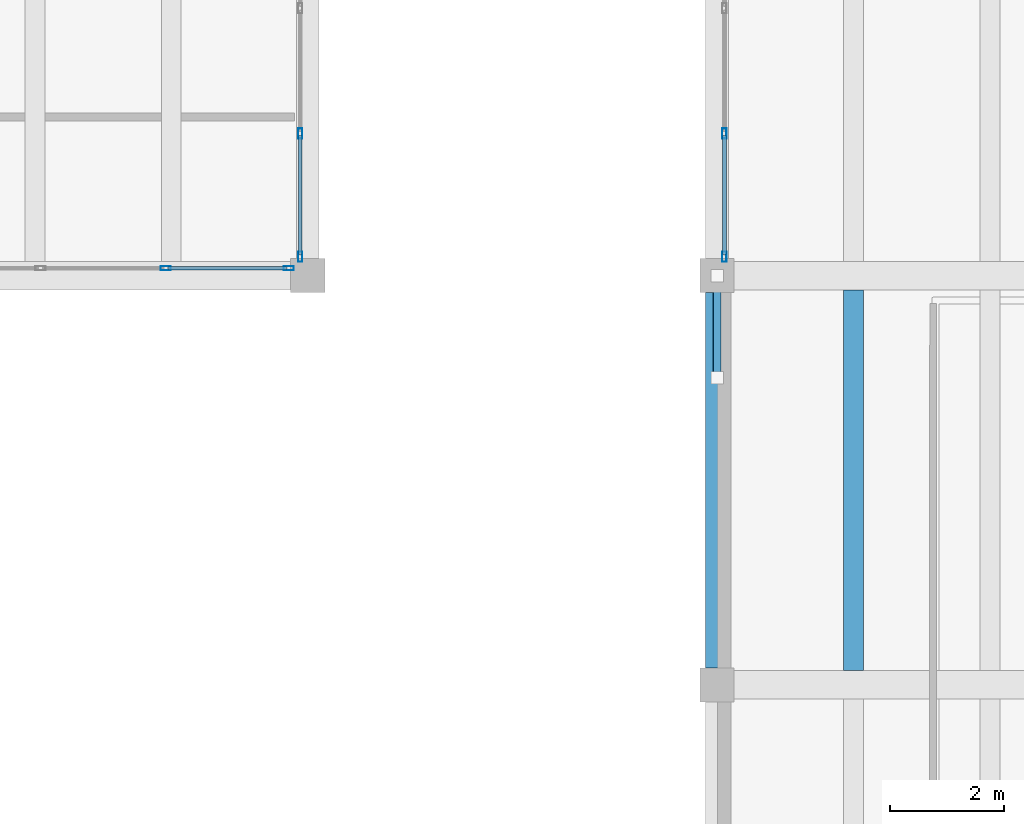
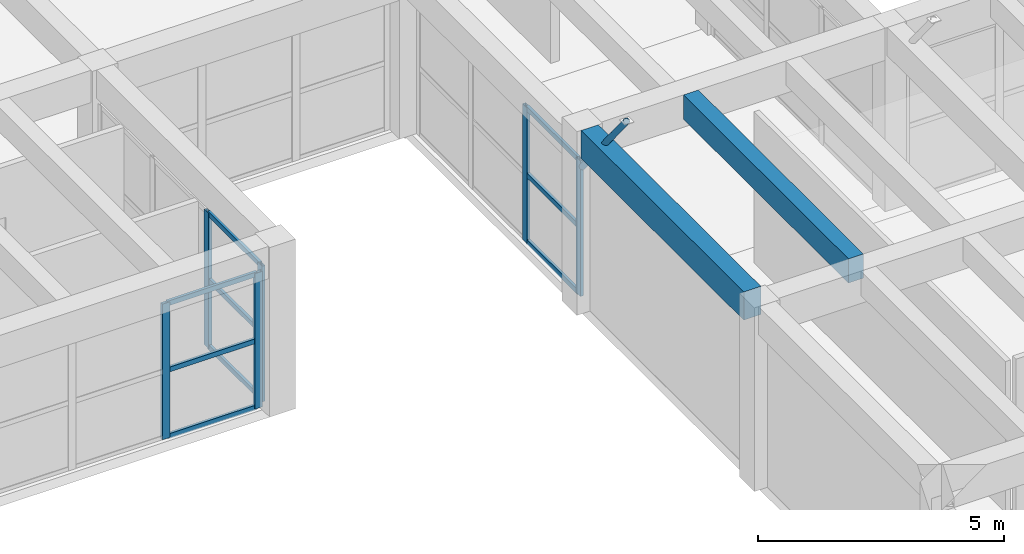
# One storey, part 68 of 153: 16 members, 2 beams, 3 elements without a shape of their own.
"""IFC4 building model written with IfcOpenShell, lengths in metres."""

from ifc_helpers import new_model, si_unit, direction, frame, origin, origin_2d, place, context, subcontext, project, spatial, rectangle, hollow_rectangle, hollow_circle, extrude, material, material_profile, profile_set, type_object, element, aggregate, save


model = new_model("IFC4")

# Units and contexts
model_context = context("Model", 3, precision=1e-05, world=origin(), true_north=direction((0.0, 1.0)))
body_context = subcontext(model_context, "Body", "Model", "MODEL_VIEW")
ifc_project = project(units=[si_unit("LENGTHUNIT", "METRE"), si_unit("AREAUNIT", "SQUARE_METRE"), si_unit("VOLUMEUNIT", "CUBIC_METRE"), si_unit("PLANEANGLEUNIT", "RADIAN"), si_unit("MASSUNIT", "GRAM", prefix="KILO")], contexts=[model_context])

# Site, building, storey
site_placement = place(None, origin())
site = spatial("IfcSite", under=ifc_project, at=site_placement, CompositionType="ELEMENT")
building_placement = place(site_placement, origin())
building = spatial("IfcBuilding", under=site, at=building_placement, Name="Bramvelor Terrace Health Centre", CompositionType="ELEMENT")
storey_placement = place(building_placement, frame((0.0, 0.0, 4.800048828125)))
storey = spatial("IfcBuildingStorey", under=building, at=storey_placement, Name="L02", CompositionType="ELEMENT", Elevation=4.800048828125)

# Beams
ifc_material_1 = material(Name="Concrete C40/50", Category="concrete")
ifc_material_profile_1 = material_profile(ifc_material_1, rectangle(XDim=0.39990234375, YDim=0.699951171875, at=origin_2d()), Name="RC 400x700")
ifc_profile_set_1 = profile_set([ifc_material_profile_1], Name="Concrete C40/50")
beam_type_1 = type_object("IfcBeamType", Name="BM-RC-G700", PredefinedType="BEAM", material=ifc_profile_set_1)
beam_1_placement = place(storey_placement, frame((43.199951171875, 72.300048828125, 4.199951171875), z_axis=(0.0, 1.0, 0.0), x_axis=(-1.0, 0.0, 0.0)))
element("IfcBeam", 1, at=beam_1_placement, inside=storey, type_object=beam_type_1, Name="L02 Floor Girder", PredefinedType="BEAM", context=body_context, shape_type="SweptSolid", body=[
    extrude(rectangle(XDim=0.39990234375, YDim=0.699951171875, at=origin_2d()), origin(), (0.0, 0.0, 1.0), 6.599853515625),
])
ifc_material_2 = material(Name="Concrete C40/50", Category="concrete")
ifc_material_profile_2 = material_profile(ifc_material_2, rectangle(XDim=0.35009765625, YDim=0.60009765625, at=origin_2d()), Name="RC 350x600")
ifc_profile_set_2 = profile_set([ifc_material_profile_2], Name="Concrete C40/50")
beam_type_2 = type_object("IfcBeamType", Name="BM-RC-J600", PredefinedType="JOIST", material=ifc_profile_set_2)
beam_2_placement = place(storey_placement, frame((45.60009765625, 72.25, 4.25), z_axis=(0.0, 1.0, 0.0), x_axis=(-1.0, 0.0, 0.0)))
element("IfcBeam", 2, at=beam_2_placement, inside=storey, type_object=beam_type_2, Name="L02 Secondary Floor Joist", PredefinedType="JOIST", context=body_context, shape_type="SweptSolid", body=[
    extrude(rectangle(XDim=0.35009765625, YDim=0.60009765625, at=origin_2d()), origin(), (0.0, 0.0, 1.0), 6.699951171875),
])

# Curtain wall, members
ifc_material_3 = material(Name="Anodized aluminium and double low-E glass", Category="aluminium")
curtain_wall_type = type_object("IfcCurtainWallType", Name="CW-SYS-12", PredefinedType="NOTDEFINED", material=ifc_material_3)
curtain_wall_1_placement = place(storey_placement, origin())
curtain_wall_1 = element("IfcCurtainWall", 3, at=curtain_wall_1_placement, inside=storey, type_object=curtain_wall_type, Name="L02 Unitized Curtain Wall 70", PredefinedType="NOTDEFINED")
ifc_material_4 = material(Name="Anodized aluminium 6063-T6", Category="aluminium")
ifc_material_profile_3 = material_profile(ifc_material_4, hollow_rectangle(XDim=0.074951171875, YDim=0.179931640625, WallThickness=0.00341796875, at=origin_2d()), Name="ALU-MUL 75x180x3.5")
ifc_profile_set_3 = profile_set([ifc_material_profile_3], Name="Anodized aluminium 6063-T6")
member_type_1 = type_object("IfcMemberType", Name="CW-MUL-65x180", PredefinedType="MULLION", material=ifc_profile_set_3)
member_1_placement = place(storey_placement, frame((43.330078125, 79.532470703125, 0.0), z_axis=(0.0, 0.0, 1.0), x_axis=(-1.0, 0.0, 0.0)))
member_1 = element("IfcMember", 4, at=member_1_placement, type_object=member_type_1, Name="CW-12 mullion 1", PredefinedType="MULLION", context=body_context, shape_type="SweptSolid", body=[
    extrude(hollow_rectangle(XDim=0.074951171875, YDim=0.179931640625, WallThickness=0.00341796875, at=origin_2d()), origin(), (0.0, 0.0, 1.0), 3.35986328125),
])
member_2_placement = place(storey_placement, frame((43.330078125, 81.6982421875, 0.0), z_axis=(0.0, 0.0, 1.0), x_axis=(-1.0, 0.0, 0.0)))
member_2 = element("IfcMember", 5, at=member_2_placement, type_object=member_type_1, Name="CW-12 mullion 2", PredefinedType="MULLION", context=body_context, shape_type="SweptSolid", body=[
    extrude(hollow_rectangle(XDim=0.074951171875, YDim=0.179931640625, WallThickness=0.00341796875, at=origin_2d()), origin(), (0.0, 0.0, 1.0), 3.35986328125),
])

curtain_wall_2_placement = place(storey_placement, origin())
curtain_wall_2 = element("IfcCurtainWall", 6, at=curtain_wall_2_placement, inside=storey, type_object=curtain_wall_type, Name="L02 Unitized Curtain Wall 72", PredefinedType="NOTDEFINED")
member_3_placement = place(storey_placement, frame((35.8701171875, 81.6982421875, 0.0), z_axis=(0.0, 0.0, 1.0), x_axis=(1.0, 0.0, 0.0)))
member_3 = element("IfcMember", 7, at=member_3_placement, type_object=member_type_1, Name="CW-12 mullion 3", PredefinedType="MULLION", context=body_context, shape_type="SweptSolid", body=[
    extrude(hollow_rectangle(XDim=0.074951171875, YDim=0.179931640625, WallThickness=0.00341796875, at=origin_2d()), origin(), (0.0, 0.0, 1.0), 3.35986328125),
])
member_4_placement = place(storey_placement, frame((35.8701171875, 79.532470703125, 0.0), z_axis=(0.0, 0.0, 1.0), x_axis=(1.0, 0.0, 0.0)))
member_4 = element("IfcMember", 8, at=member_4_placement, type_object=member_type_1, Name="CW-12 mullion 4", PredefinedType="MULLION", context=body_context, shape_type="SweptSolid", body=[
    extrude(hollow_rectangle(XDim=0.074951171875, YDim=0.179931640625, WallThickness=0.00341796875, at=origin_2d()), origin(), (0.0, 0.0, 1.0), 3.35986328125),
])

curtain_wall_3_placement = place(storey_placement, origin())
curtain_wall_3 = element("IfcCurtainWall", 9, at=curtain_wall_3_placement, inside=storey, type_object=curtain_wall_type, Name="L02 Unitized Curtain Wall 73", PredefinedType="NOTDEFINED")
member_5_placement = place(storey_placement, frame((35.66748046875, 79.330078125, 0.0), z_axis=(0.0, 0.0, 1.0), x_axis=(0.0, -1.0, 0.0)))
member_5 = element("IfcMember", 10, at=member_5_placement, type_object=member_type_1, Name="CW-12 mullion 1", PredefinedType="MULLION", context=body_context, shape_type="SweptSolid", body=[
    extrude(hollow_rectangle(XDim=0.074951171875, YDim=0.179931640625, WallThickness=0.00341796875, at=origin_2d()), origin(), (0.0, 0.0, 1.0), 3.35986328125),
])
member_6_placement = place(storey_placement, frame((33.501708984375, 79.330078125, 0.0), z_axis=(0.0, 0.0, 1.0), x_axis=(0.0, -1.0, 0.0)))
member_6 = element("IfcMember", 11, at=member_6_placement, type_object=member_type_1, Name="CW-12 mullion 2", PredefinedType="MULLION", context=body_context, shape_type="SweptSolid", body=[
    extrude(hollow_rectangle(XDim=0.074951171875, YDim=0.179931640625, WallThickness=0.00341796875, at=origin_2d()), origin(), (0.0, 0.0, 1.0), 3.35986328125),
])

# Member
ifc_material_5 = material(Name="Anodized aluminium 6063-T6", Category="aluminium")
ifc_material_profile_4 = material_profile(ifc_material_5, hollow_rectangle(XDim=0.06494140625, YDim=0.1201171875, WallThickness=0.0029296875, at=origin_2d()), Name="ALU-TRN 65x120x3.0")
ifc_profile_set_4 = profile_set([ifc_material_profile_4], Name="Anodized aluminium 6063-T6")
member_type_2 = type_object("IfcMemberType", Name="CW-TRN-65x150", PredefinedType="USERDEFINED", material=ifc_profile_set_4)
member_7_placement = place(storey_placement, frame((43.330078125, 79.570068359375, 0.032470703125), z_axis=(0.0, 1.0, 0.0), x_axis=(-1.0, 0.0, 0.0)))
member_7 = element("IfcMember", 12, at=member_7_placement, type_object=member_type_2, Name="CW-12 transom 1.1", ObjectType="TRANSOM", PredefinedType="USERDEFINED", context=body_context, shape_type="SweptSolid", body=[
    extrude(hollow_rectangle(XDim=0.06494140625, YDim=0.1201171875, WallThickness=0.0029296875, at=origin_2d()), origin(), (0.0, 0.0, 1.0), 2.0908203125),
])

member_8_placement = place(storey_placement, frame((43.330078125, 79.570068359375, 1.679931640625), z_axis=(0.0, 1.0, 0.0), x_axis=(-1.0, 0.0, 0.0)))
member_8 = element("IfcMember", 13, at=member_8_placement, type_object=member_type_2, Name="CW-12 transom 1.2", ObjectType="TRANSOM", PredefinedType="USERDEFINED", context=body_context, shape_type="SweptSolid", body=[
    extrude(hollow_rectangle(XDim=0.06494140625, YDim=0.1201171875, WallThickness=0.0029296875, at=origin_2d()), origin(), (0.0, 0.0, 1.0), 2.0908203125),
])

member_9_placement = place(storey_placement, frame((43.330078125, 79.570068359375, 3.327392578125), z_axis=(0.0, 1.0, 0.0), x_axis=(-1.0, 0.0, 0.0)))
member_9 = element("IfcMember", 14, at=member_9_placement, type_object=member_type_2, Name="CW-12 transom 1.3", ObjectType="TRANSOM", PredefinedType="USERDEFINED", context=body_context, shape_type="SweptSolid", body=[
    extrude(hollow_rectangle(XDim=0.06494140625, YDim=0.1201171875, WallThickness=0.0029296875, at=origin_2d()), origin(), (0.0, 0.0, 1.0), 2.0908203125),
])

aggregate(curtain_wall_1, [member_1, member_2, member_7, member_8, member_9])

member_10_placement = place(storey_placement, frame((35.8701171875, 81.660888671875, 0.032470703125), z_axis=(0.0, -1.0, 0.0), x_axis=(1.0, 0.0, 0.0)))
member_10 = element("IfcMember", 15, at=member_10_placement, type_object=member_type_2, Name="CW-12 transom 3.1", ObjectType="TRANSOM", PredefinedType="USERDEFINED", context=body_context, shape_type="SweptSolid", body=[
    extrude(hollow_rectangle(XDim=0.06494140625, YDim=0.1201171875, WallThickness=0.0029296875, at=origin_2d()), origin(), (0.0, 0.0, 1.0), 2.0908203125),
])

member_11_placement = place(storey_placement, frame((35.8701171875, 81.660888671875, 1.679931640625), z_axis=(0.0, -1.0, 0.0), x_axis=(1.0, 0.0, 0.0)))
member_11 = element("IfcMember", 16, at=member_11_placement, type_object=member_type_2, Name="CW-12 transom 3.2", ObjectType="TRANSOM", PredefinedType="USERDEFINED", context=body_context, shape_type="SweptSolid", body=[
    extrude(hollow_rectangle(XDim=0.06494140625, YDim=0.1201171875, WallThickness=0.0029296875, at=origin_2d()), origin(), (0.0, 0.0, 1.0), 2.0908203125),
])

member_12_placement = place(storey_placement, frame((35.8701171875, 81.660888671875, 3.327392578125), z_axis=(0.0, -1.0, 0.0), x_axis=(1.0, 0.0, 0.0)))
member_12 = element("IfcMember", 17, at=member_12_placement, type_object=member_type_2, Name="CW-12 transom 3.3", ObjectType="TRANSOM", PredefinedType="USERDEFINED", context=body_context, shape_type="SweptSolid", body=[
    extrude(hollow_rectangle(XDim=0.06494140625, YDim=0.1201171875, WallThickness=0.0029296875, at=origin_2d()), origin(), (0.0, 0.0, 1.0), 2.0908203125),
])

aggregate(curtain_wall_2, [member_3, member_4, member_10, member_11, member_12])

member_13_placement = place(storey_placement, frame((35.6298828125, 79.330078125, 0.032470703125), z_axis=(-1.0, 0.0, 0.0), x_axis=(0.0, -1.0, 0.0)))
member_13 = element("IfcMember", 18, at=member_13_placement, type_object=member_type_2, Name="CW-12 transom 1.1", ObjectType="TRANSOM", PredefinedType="USERDEFINED", context=body_context, shape_type="SweptSolid", body=[
    extrude(hollow_rectangle(XDim=0.06494140625, YDim=0.1201171875, WallThickness=0.0029296875, at=origin_2d()), origin(), (0.0, 0.0, 1.0), 2.0908203125),
])

member_14_placement = place(storey_placement, frame((35.6298828125, 79.330078125, 1.679931640625), z_axis=(-1.0, 0.0, 0.0), x_axis=(0.0, -1.0, 0.0)))
member_14 = element("IfcMember", 19, at=member_14_placement, type_object=member_type_2, Name="CW-12 transom 1.2", ObjectType="TRANSOM", PredefinedType="USERDEFINED", context=body_context, shape_type="SweptSolid", body=[
    extrude(hollow_rectangle(XDim=0.06494140625, YDim=0.1201171875, WallThickness=0.0029296875, at=origin_2d()), origin(), (0.0, 0.0, 1.0), 2.0908203125),
])

member_15_placement = place(storey_placement, frame((35.6298828125, 79.330078125, 3.327392578125), z_axis=(-1.0, 0.0, 0.0), x_axis=(0.0, -1.0, 0.0)))
member_15 = element("IfcMember", 20, at=member_15_placement, type_object=member_type_2, Name="CW-12 transom 1.3", ObjectType="TRANSOM", PredefinedType="USERDEFINED", context=body_context, shape_type="SweptSolid", body=[
    extrude(hollow_rectangle(XDim=0.06494140625, YDim=0.1201171875, WallThickness=0.0029296875, at=origin_2d()), origin(), (0.0, 0.0, 1.0), 2.0908203125),
])

aggregate(curtain_wall_3, [member_5, member_6, member_13, member_14, member_15])

ifc_material_6 = material(Name="Steel S355J2", Category="steel")
ifc_material_profile_5 = material_profile(ifc_material_6, hollow_circle(Radius=0.06982421875, WallThickness=0.0048828125, at=origin_2d()), Name="CHS 139.7x5.0")
ifc_profile_set_5 = profile_set([ifc_material_profile_5], Name="Steel S355J2")
member_type_3 = type_object("IfcMemberType", Name="MEM-STL-CHS139", PredefinedType="STRUT", material=ifc_profile_set_5)
member_16_placement = place(storey_placement, frame((43.199951171875, 79.199951171875, 3.39990234375), z_axis=(0.0, -0.62952484871, 0.776980350367), x_axis=(1.0, 0.0, 0.0)))
element("IfcMember", 21, at=member_16_placement, inside=storey, type_object=member_type_3, Name="Waiting Hall Storm-Eave Knee Strut N1", PredefinedType="STRUT", context=body_context, shape_type="SweptSolid", body=[
    extrude(hollow_circle(Radius=0.06982421875, WallThickness=0.0048828125, at=origin_2d()), origin(), (0.0, 0.0, 1.0), 2.859375),
])

save(model, "model.ifc")
